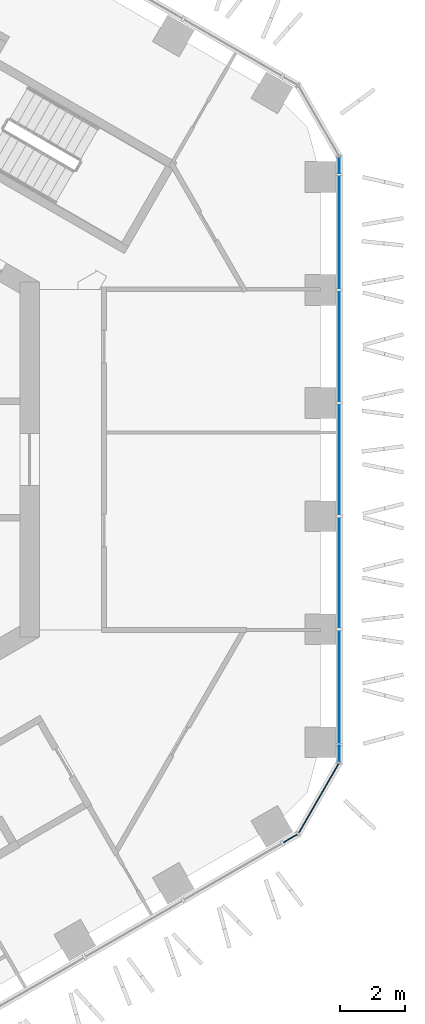
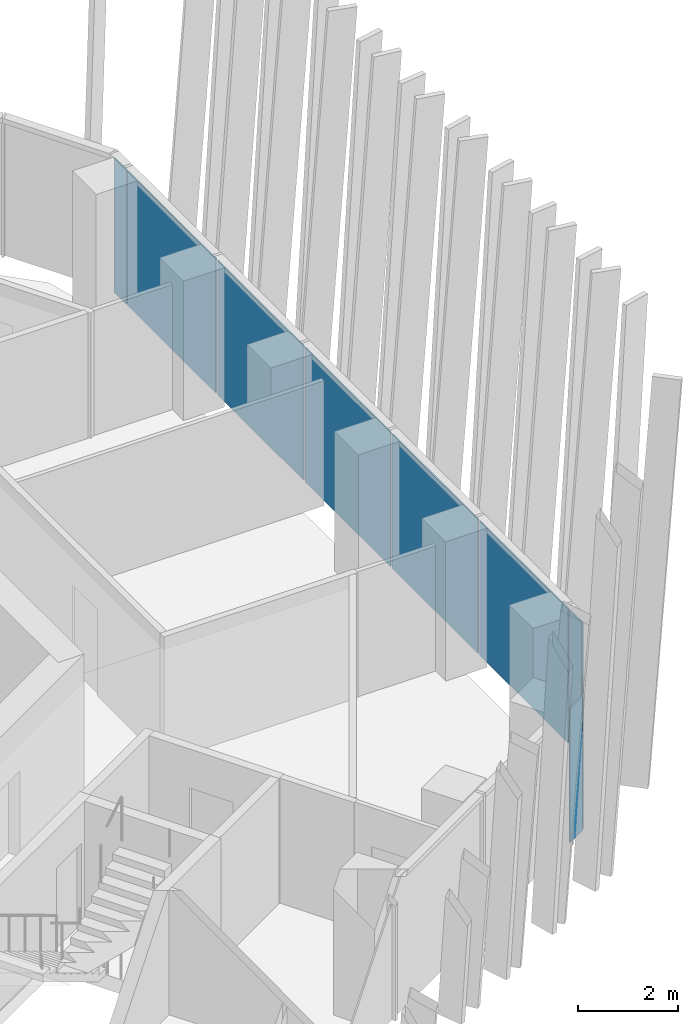
# One storey, part 11 of 21: 9 plates, 3 elements without a shape of their own.
"""IFC4 building model written with IfcOpenShell, lengths in metres."""

import ifcopenshell
import ifcopenshell.guid

model = None  # the IFC model being written
_history = None  # IfcOwnerHistory: only IFC2X3 demands one
_inside = {}  # id of a spatial element -> (the spatial element, [elements in it])
_under = {}  # id of a project, library or spatial element -> (it, [spatial elements below it])
_declared = {}  # id of a project -> (the project, [libraries it declares])
_typed = {}  # id of a type object -> (the type object, [elements of that type])
_made_of = {}  # id of a material, layer set ... -> (it, [elements and type objects made of it])


def new_model(schema):
    """Start an empty IFC model of exactly this schema.

    Asked for "IFC4X3", IfcOpenShell would pick the latest addendum, in which some entities
    have other attributes; the version numbers below select the first issue.
    IFC2X3 requires an IfcOwnerHistory on every rooted entity: one is made here for all.
    """
    global model, _history
    if schema == "IFC4X3":
        model = ifcopenshell.file(schema_version=(4, 3, 0, 0))
    else:
        model = ifcopenshell.file(schema=schema)
    _inside.clear()
    _under.clear()
    _declared.clear()
    _typed.clear()
    _made_of.clear()
    _history = None
    if model.schema == "IFC2X3":
        org = make("IfcOrganization", Name="unknown")
        user = make(
            "IfcPersonAndOrganization",
            ThePerson=make("IfcPerson", FamilyName="unknown"),
            TheOrganization=org,
        )
        app = make(
            "IfcApplication",
            ApplicationDeveloper=org,
            Version="unknown",
            ApplicationFullName="unknown",
            ApplicationIdentifier="unknown",
        )
        _history = make(
            "IfcOwnerHistory",
            OwningUser=user,
            OwningApplication=app,
            ChangeAction="ADDED",
            CreationDate=0,
        )
    return model


def make(cls, **values):
    """One entity of the class cls with the attributes given. An attribute that is None is left unset."""
    return model.create_entity(
        cls, **{name: value for name, value in values.items() if value is not None}
    )


def rooted(cls, **values):
    """An entity with a GlobalId (a new one), such as an element, a storey or a relation."""
    return make(cls, GlobalId=ifcopenshell.guid.new(), OwnerHistory=_history, **values)


def si_unit(unit_type, name, prefix=None):
    """IfcSIUnit, for example si_unit("LENGTHUNIT", "METRE", prefix="MILLI")."""
    return make("IfcSIUnit", UnitType=unit_type, Prefix=prefix, Name=name)


def assignment(units):
    """IfcUnitAssignment: the units of a project."""
    return None if units is None else make("IfcUnitAssignment", Units=units)


def point(xyz):
    """IfcCartesianPoint."""
    return None if xyz is None else make("IfcCartesianPoint", Coordinates=xyz)


def direction(xyz):
    """IfcDirection."""
    return None if xyz is None else make("IfcDirection", DirectionRatios=xyz)


def frame(location, z_axis=None, x_axis=None):
    """IfcAxis2Placement3D, a coordinate frame: its origin and axes. An axis left out is left unset."""
    return make(
        "IfcAxis2Placement3D",
        Location=point(location),
        Axis=direction(z_axis),
        RefDirection=direction(x_axis),
    )


def frame_2d(location, x_axis=None):
    """IfcAxis2Placement2D, a coordinate frame in the plane: its origin and x axis."""
    return make(
        "IfcAxis2Placement2D", Location=point(location), RefDirection=direction(x_axis)
    )


def origin():
    """The frame at (0, 0, 0) with its axes left unset."""
    return frame((0.0, 0.0, 0.0))


def origin_2d():
    """The frame at (0, 0) in the plane with its x axis left unset."""
    return frame_2d((0.0, 0.0))


def place(relative_to, where):
    """IfcLocalPlacement: puts the frame where relative to a parent placement (None: the world)."""
    return make(
        "IfcLocalPlacement", PlacementRelTo=relative_to, RelativePlacement=where
    )


def context(
    kind, dimensions, precision=None, world=None, true_north=None, identifier=None
):
    """IfcGeometricRepresentationContext, for example the 3D "Model" context."""
    return make(
        "IfcGeometricRepresentationContext",
        ContextIdentifier=identifier,
        ContextType=kind,
        CoordinateSpaceDimension=dimensions,
        Precision=precision,
        WorldCoordinateSystem=world,
        TrueNorth=true_north,
    )


def subcontext(parent, identifier, kind, view, scale=None):
    """IfcGeometricRepresentationSubContext, for example "Body" below "Model"."""
    return make(
        "IfcGeometricRepresentationSubContext",
        ContextIdentifier=identifier,
        ContextType=kind,
        ParentContext=parent,
        TargetScale=scale,
        TargetView=view,
    )


def project(units=None, contexts=None):
    """IfcProject with its units and contexts."""
    return rooted(
        "IfcProject",
        Name="project",
        RepresentationContexts=contexts,
        UnitsInContext=assignment(units),
    )


def spatial(cls, under=None, at=None, **own):
    """A site, building, storey or space (cls), placed at a placement, below another one or the project."""
    s = rooted(cls, ObjectPlacement=at, **own)
    if under is not None:
        _under.setdefault(under.id(), (under, []))[1].append(s)
    return s


def profile(cls, at=None, kind="AREA", **sizes):
    """A parametric profile (cls). Its sizes go by their IFC names, for example OverallWidth=200.0."""
    return make(cls, ProfileType=kind, Position=at, **sizes)


def rectangle(**sizes):
    """IfcRectangleProfileDef."""
    return profile("IfcRectangleProfileDef", **sizes)


def extrude(swept, where, along, depth):
    """IfcExtrudedAreaSolid: the profile swept, set in the frame where, extruded along a direction by depth."""
    return make(
        "IfcExtrudedAreaSolid",
        SweptArea=swept,
        Position=where,
        ExtrudedDirection=direction(along),
        Depth=depth,
    )


def shape(context_of_items, identifier, shape_type, items):
    """IfcShapeRepresentation: the items that make up one representation, for example the "Body"."""
    return make(
        "IfcShapeRepresentation",
        ContextOfItems=context_of_items,
        RepresentationIdentifier=identifier,
        RepresentationType=shape_type,
        Items=items,
    )


def material(Name=None, Category=None):
    """IfcMaterial."""
    return make("IfcMaterial", Name=Name, Category=Category)


def layer(
    of_material, thickness, ventilated=None, Name=None, Category=None, Priority=None
):
    """IfcMaterialLayer: one layer of a wall or slab, of a material (None: an air gap)."""
    return make(
        "IfcMaterialLayer",
        Material=of_material,
        LayerThickness=thickness,
        IsVentilated=ventilated,
        Name=Name,
        Category=Category,
        Priority=Priority,
    )


def layer_set(layers, Name=None):
    """IfcMaterialLayerSet."""
    return make("IfcMaterialLayerSet", MaterialLayers=layers, LayerSetName=Name)


def made_of(thing, what):
    """Note that an element or type object is made of a material, layer set ...; save() writes the relation."""
    if what is not None:
        _made_of.setdefault(what.id(), (what, []))[1].append(thing)
    return thing


def type_object(cls, material=None, **own):
    """A type object (cls), such as IfcWallType, which elements share."""
    return made_of(rooted(cls, **own), material)


def element(
    cls,
    number,
    at=None,
    inside=None,
    cuts=None,
    type_object=None,
    material=None,
    context=None,
    identifier="Body",
    shape_type=None,
    held_by="IfcProductDefinitionShape",
    body=None,
    shapes=None,
    **own,
):
    """One element of the class cls, such as IfcWall. Its Tag is "e" and its number.

    at: its placement. inside: the storey or other place that contains it. cuts: it is an
    opening in that element (IfcRelVoidsElement). A single representation is given by context,
    identifier, shape_type and body (its items); several are given by shapes. held_by: the class
    of the entity that holds the representations. save() writes the other relations.
    """
    e = rooted(cls, Tag="e%d" % number, ObjectPlacement=at, **own)
    if body is not None:
        shapes = [shape(context, identifier, shape_type, body)]
    if shapes is not None:
        e.Representation = make(held_by, Representations=shapes)
    if inside is not None:
        _inside.setdefault(inside.id(), (inside, []))[1].append(e)
    if cuts is not None:
        rooted(
            "IfcRelVoidsElement", RelatingBuildingElement=cuts, RelatedOpeningElement=e
        )
    if type_object is not None:
        _typed.setdefault(type_object.id(), (type_object, []))[1].append(e)
    return made_of(e, material)


def aggregate(whole, parts):
    """IfcRelAggregates: a whole, such as a stair, and the parts it consists of."""
    return rooted("IfcRelAggregates", RelatingObject=whole, RelatedObjects=parts)


def save(model, path):
    """Write the relations noted so far, then the file.

    IfcRelAggregates (storeys below a building ...), IfcRelContainedInSpatialStructure (elements
    in a storey), IfcRelDefinesByType, IfcRelAssociatesMaterial and IfcRelDeclares: one each for
    every whole, place, type object, material and project.
    """
    for whole, parts in _under.values():
        aggregate(whole, parts)
    for where, things in _inside.values():
        rooted(
            "IfcRelContainedInSpatialStructure",
            RelatedElements=things,
            RelatingStructure=where,
        )
    for kind, things in _typed.values():
        rooted("IfcRelDefinesByType", RelatedObjects=things, RelatingType=kind)
    for what, things in _made_of.values():
        rooted("IfcRelAssociatesMaterial", RelatedObjects=things, RelatingMaterial=what)
    for by, libraries in _declared.values():
        rooted("IfcRelDeclares", RelatingContext=by, RelatedDefinitions=libraries)
    model.write(path)


model = new_model("IFC4")

# Units and contexts
model_context = context("Model", 3, precision=1e-05, world=origin(), true_north=direction((0.0, 1.0)))
body_context = subcontext(model_context, "Body", "Model", "MODEL_VIEW")
ifc_project = project(units=[si_unit("LENGTHUNIT", "METRE"), si_unit("AREAUNIT", "SQUARE_METRE"), si_unit("VOLUMEUNIT", "CUBIC_METRE"), si_unit("PLANEANGLEUNIT", "RADIAN"), si_unit("MASSUNIT", "GRAM", prefix="KILO")], contexts=[model_context])

# Site, building, storey
site_placement = place(None, origin())
site = spatial("IfcSite", under=ifc_project, at=site_placement, CompositionType="ELEMENT")
building_placement = place(site_placement, origin())
building = spatial("IfcBuilding", under=site, at=building_placement, Name="Ayvan Gate Tower", CompositionType="ELEMENT")
storey_placement = place(building_placement, frame((0.0, 0.0, 152.699951171875)))
storey = spatial("IfcBuildingStorey", under=building, at=storey_placement, Name="L40", CompositionType="ELEMENT", Elevation=152.699951171875)

# Curtain wall, plates
ifc_material_1 = material(Name="Bronze anodised aluminium", Category="aluminium")
ifc_layer_1 = layer(ifc_material_1, 0.199951171875)
ifc_layer_set_1 = layer_set([ifc_layer_1], Name="Bronze anodised aluminium")
curtain_wall_type_1 = type_object("IfcCurtainWallType", Name="Stick curtain wall CW-2", PredefinedType="NOTDEFINED", material=ifc_layer_set_1)
curtain_wall_1_placement = place(storey_placement, origin())
curtain_wall_1 = element("IfcCurtainWall", 1, at=curtain_wall_1_placement, inside=storey, type_object=curtain_wall_type_1, Name="Stick curtain wall CW-2 L40", PredefinedType="NOTDEFINED")
ifc_material_2 = material(Name="Clear low-iron laminated glass", Category="glass")
ifc_layer_2 = layer(ifc_material_2, 0.028076171875)
ifc_layer_set_2 = layer_set([ifc_layer_2], Name="Clear low-iron laminated glass")
plate_type_1 = type_object("IfcPlateType", Name="Stick curtain wall CW-2 glass panel", PredefinedType="CURTAIN_PANEL", material=ifc_layer_set_2)
plate_1_placement = place(storey_placement, frame((18.761474609375, -7.042236328125, 0.0), z_axis=(0.0, 0.0, 1.0), x_axis=(0.0, 1.0, 0.0)))
plate_1 = element("IfcPlate", 2, at=plate_1_placement, type_object=plate_type_1, Name="CW-2 glass panel 1", PredefinedType="CURTAIN_PANEL", context=body_context, shape_type="SweptSolid", body=[
    extrude(rectangle(XDim=3.532958984375, YDim=0.028076171875, at=origin_2d()), origin(), (0.0, 0.0, 1.0), 3.280029296875),
])
plate_2_placement = place(storey_placement, frame((18.761474609375, -3.49365234375, 0.0), z_axis=(0.0, 0.0, 1.0), x_axis=(0.0, 1.0, 0.0)))
plate_2 = element("IfcPlate", 3, at=plate_2_placement, type_object=plate_type_1, Name="CW-2 glass panel 2", PredefinedType="CURTAIN_PANEL", context=body_context, shape_type="SweptSolid", body=[
    extrude(rectangle(XDim=3.424072265625, YDim=0.028076171875, at=origin_2d()), origin(), (0.0, 0.0, 1.0), 3.280029296875),
])
plate_3_placement = place(storey_placement, frame((18.761474609375, -0.000244140625, 0.0), z_axis=(0.0, 0.0, 1.0), x_axis=(0.0, 1.0, 0.0)))
plate_3 = element("IfcPlate", 4, at=plate_3_placement, type_object=plate_type_1, Name="CW-2 glass panel 3", PredefinedType="CURTAIN_PANEL", context=body_context, shape_type="SweptSolid", body=[
    extrude(rectangle(XDim=3.423095703125, YDim=0.028076171875, at=origin_2d()), origin(), (0.0, 0.0, 1.0), 3.280029296875),
])
plate_4_placement = place(storey_placement, frame((18.761474609375, 3.493408203125, 0.0), z_axis=(0.0, 0.0, 1.0), x_axis=(0.0, 1.0, 0.0)))
plate_4 = element("IfcPlate", 5, at=plate_4_placement, type_object=plate_type_1, Name="CW-2 glass panel 4", PredefinedType="CURTAIN_PANEL", context=body_context, shape_type="SweptSolid", body=[
    extrude(rectangle(XDim=3.424072265625, YDim=0.028076171875, at=origin_2d()), origin(), (0.0, 0.0, 1.0), 3.280029296875),
])
plate_5_placement = place(storey_placement, frame((18.761474609375, 7.0419921875, 0.0), z_axis=(0.0, 0.0, 1.0), x_axis=(0.0, 1.0, 0.0)))
plate_5 = element("IfcPlate", 6, at=plate_5_placement, type_object=plate_type_1, Name="CW-2 glass panel 5", PredefinedType="CURTAIN_PANEL", context=body_context, shape_type="SweptSolid", body=[
    extrude(rectangle(XDim=3.533203125, YDim=0.028076171875, at=origin_2d()), origin(), (0.0, 0.0, 1.0), 3.280029296875),
])
aggregate(curtain_wall_1, [plate_1, plate_2, plate_3, plate_4, plate_5])

ifc_layer_3 = layer(ifc_material_1, 0.199951171875)
ifc_layer_set_3 = layer_set([ifc_layer_3], Name="Bronze anodised aluminium")
curtain_wall_type_2 = type_object("IfcCurtainWallType", Name="Stick curtain wall CW-6", PredefinedType="NOTDEFINED", material=ifc_layer_set_3)
curtain_wall_2_placement = place(storey_placement, origin())
curtain_wall_2 = element("IfcCurtainWall", 7, at=curtain_wall_2_placement, inside=storey, type_object=curtain_wall_type_2, Name="Stick curtain wall CW-6 L40", PredefinedType="NOTDEFINED")
ifc_layer_4 = layer(ifc_material_2, 0.028076171875)
ifc_layer_set_4 = layer_set([ifc_layer_4], Name="Clear low-iron laminated glass")
plate_type_2 = type_object("IfcPlateType", Name="Stick curtain wall CW-6 glass panel", PredefinedType="CURTAIN_PANEL", material=ifc_layer_set_4)
plate_6_placement = place(storey_placement, frame((17.256103515625, -11.701171875, 0.0), z_axis=(0.0, 0.0, 1.0), x_axis=(0.866025403784, 0.5, 0.0)))
plate_6 = element("IfcPlate", 8, at=plate_6_placement, type_object=plate_type_2, Name="CW-6 glass panel 1", PredefinedType="CURTAIN_PANEL", context=body_context, shape_type="SweptSolid", body=[
    extrude(rectangle(XDim=0.5, YDim=0.028076171875, at=origin_2d()), origin(), (0.0, 0.0, 1.0), 3.280029296875),
])
plate_7_placement = place(storey_placement, frame((18.1279296875, -10.466064453125, 0.0), z_axis=(0.0, 0.0, 1.0), x_axis=(0.5, 0.866025403784, 0.0)))
plate_7 = element("IfcPlate", 9, at=plate_7_placement, type_object=plate_type_2, Name="CW-6 glass panel 2", PredefinedType="CURTAIN_PANEL", context=body_context, shape_type="SweptSolid", body=[
    extrude(rectangle(XDim=2.484619140625, YDim=0.028076171875, at=origin_2d()), origin(), (0.0, 0.0, 1.0), 3.280029296875),
])
plate_8_placement = place(storey_placement, frame((18.761474609375, -9.09375, 0.0), z_axis=(0.0, 0.0, 1.0), x_axis=(0.0, 1.0, 0.0)))
plate_8 = element("IfcPlate", 10, at=plate_8_placement, type_object=plate_type_2, Name="CW-6 glass panel 3", PredefinedType="CURTAIN_PANEL", context=body_context, shape_type="SweptSolid", body=[
    extrude(rectangle(XDim=0.5, YDim=0.028076171875, at=origin_2d()), origin(), (0.0, 0.0, 1.0), 3.280029296875),
])
aggregate(curtain_wall_2, [plate_6, plate_7, plate_8])

# Curtain wall, plate
curtain_wall_3_placement = place(storey_placement, origin())
curtain_wall_3 = element("IfcCurtainWall", 11, at=curtain_wall_3_placement, inside=storey, type_object=curtain_wall_type_2, Name="Stick curtain wall CW-6 L40", PredefinedType="NOTDEFINED")
plate_9_placement = place(storey_placement, frame((18.761474609375, 9.09375, 0.0), z_axis=(0.0, 0.0, 1.0), x_axis=(0.0, 1.0, 0.0)))
plate_9 = element("IfcPlate", 12, at=plate_9_placement, type_object=plate_type_2, Name="CW-6 glass panel 1", PredefinedType="CURTAIN_PANEL", context=body_context, shape_type="SweptSolid", body=[
    extrude(rectangle(XDim=0.5, YDim=0.028076171875, at=origin_2d()), origin(), (0.0, 0.0, 1.0), 3.280029296875),
])
aggregate(curtain_wall_3, [plate_9])

save(model, "model.ifc")
